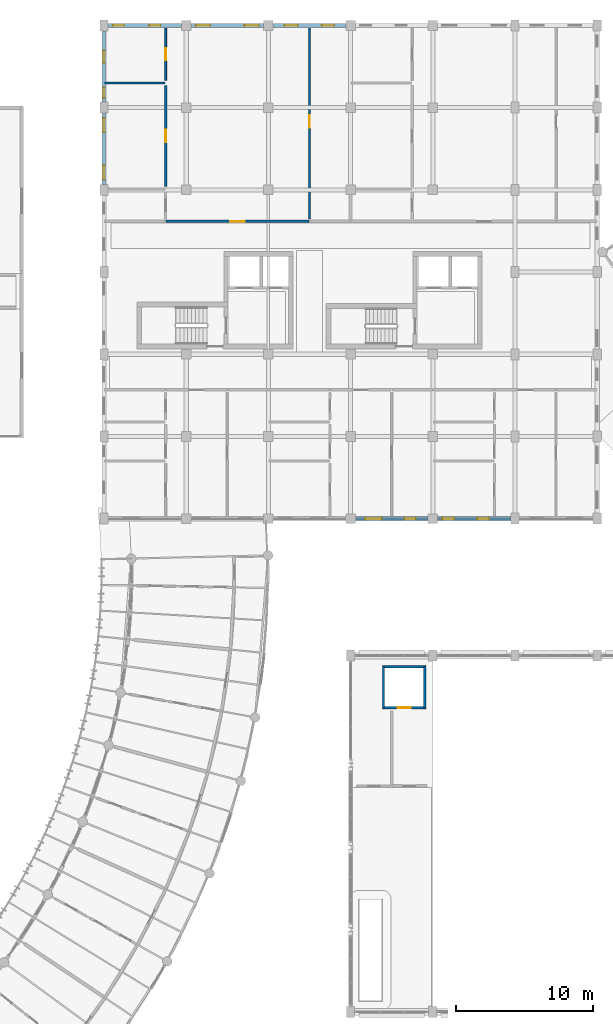
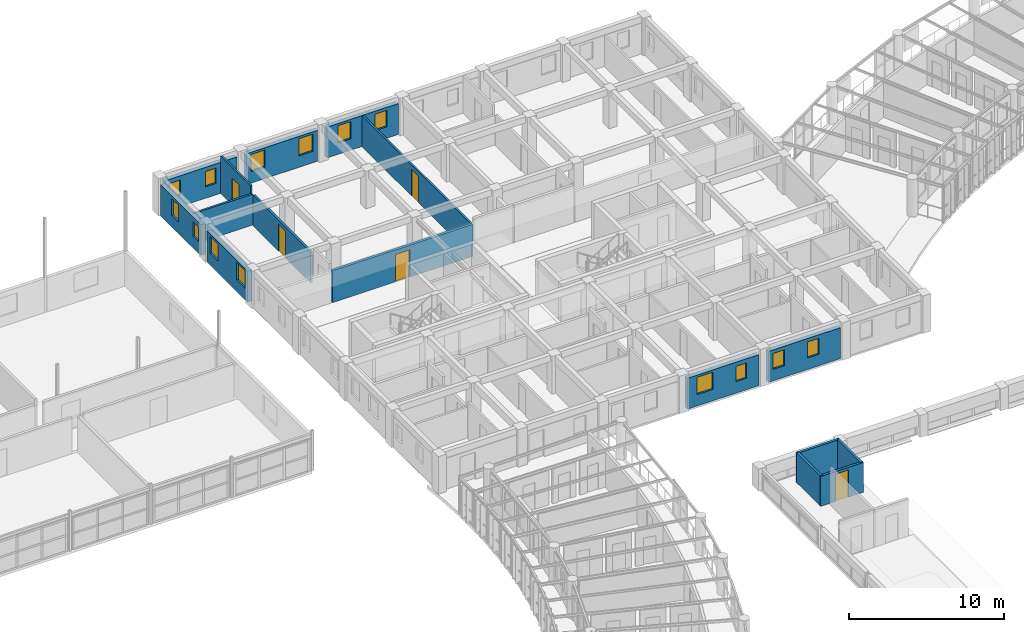
# One storey, part 102 of 137: 16 walls, 14 windows, 5 doors, 19 openings.
"""IFC4 building model written with IfcOpenShell, lengths in metres."""

import ifcopenshell
import ifcopenshell.guid

model = None  # the IFC model being written
_history = None  # IfcOwnerHistory: only IFC2X3 demands one
_inside = {}  # id of a spatial element -> (the spatial element, [elements in it])
_under = {}  # id of a project, library or spatial element -> (it, [spatial elements below it])
_declared = {}  # id of a project -> (the project, [libraries it declares])
_typed = {}  # id of a type object -> (the type object, [elements of that type])
_made_of = {}  # id of a material, layer set ... -> (it, [elements and type objects made of it])


def new_model(schema):
    """Start an empty IFC model of exactly this schema.

    Asked for "IFC4X3", IfcOpenShell would pick the latest addendum, in which some entities
    have other attributes; the version numbers below select the first issue.
    IFC2X3 requires an IfcOwnerHistory on every rooted entity: one is made here for all.
    """
    global model, _history
    if schema == "IFC4X3":
        model = ifcopenshell.file(schema_version=(4, 3, 0, 0))
    else:
        model = ifcopenshell.file(schema=schema)
    _inside.clear()
    _under.clear()
    _declared.clear()
    _typed.clear()
    _made_of.clear()
    _history = None
    if model.schema == "IFC2X3":
        org = make("IfcOrganization", Name="unknown")
        user = make(
            "IfcPersonAndOrganization",
            ThePerson=make("IfcPerson", FamilyName="unknown"),
            TheOrganization=org,
        )
        app = make(
            "IfcApplication",
            ApplicationDeveloper=org,
            Version="unknown",
            ApplicationFullName="unknown",
            ApplicationIdentifier="unknown",
        )
        _history = make(
            "IfcOwnerHistory",
            OwningUser=user,
            OwningApplication=app,
            ChangeAction="ADDED",
            CreationDate=0,
        )
    return model


def make(cls, **values):
    """One entity of the class cls with the attributes given. An attribute that is None is left unset."""
    return model.create_entity(
        cls, **{name: value for name, value in values.items() if value is not None}
    )


def rooted(cls, **values):
    """An entity with a GlobalId (a new one), such as an element, a storey or a relation."""
    return make(cls, GlobalId=ifcopenshell.guid.new(), OwnerHistory=_history, **values)


def si_unit(unit_type, name, prefix=None):
    """IfcSIUnit, for example si_unit("LENGTHUNIT", "METRE", prefix="MILLI")."""
    return make("IfcSIUnit", UnitType=unit_type, Prefix=prefix, Name=name)


def assignment(units):
    """IfcUnitAssignment: the units of a project."""
    return None if units is None else make("IfcUnitAssignment", Units=units)


def point(xyz):
    """IfcCartesianPoint."""
    return None if xyz is None else make("IfcCartesianPoint", Coordinates=xyz)


def direction(xyz):
    """IfcDirection."""
    return None if xyz is None else make("IfcDirection", DirectionRatios=xyz)


def frame(location, z_axis=None, x_axis=None):
    """IfcAxis2Placement3D, a coordinate frame: its origin and axes. An axis left out is left unset."""
    return make(
        "IfcAxis2Placement3D",
        Location=point(location),
        Axis=direction(z_axis),
        RefDirection=direction(x_axis),
    )


def frame_2d(location, x_axis=None):
    """IfcAxis2Placement2D, a coordinate frame in the plane: its origin and x axis."""
    return make(
        "IfcAxis2Placement2D", Location=point(location), RefDirection=direction(x_axis)
    )


def origin():
    """The frame at (0, 0, 0) with its axes left unset."""
    return frame((0.0, 0.0, 0.0))


def place(relative_to, where):
    """IfcLocalPlacement: puts the frame where relative to a parent placement (None: the world)."""
    return make(
        "IfcLocalPlacement", PlacementRelTo=relative_to, RelativePlacement=where
    )


def context(
    kind, dimensions, precision=None, world=None, true_north=None, identifier=None
):
    """IfcGeometricRepresentationContext, for example the 3D "Model" context."""
    return make(
        "IfcGeometricRepresentationContext",
        ContextIdentifier=identifier,
        ContextType=kind,
        CoordinateSpaceDimension=dimensions,
        Precision=precision,
        WorldCoordinateSystem=world,
        TrueNorth=true_north,
    )


def subcontext(parent, identifier, kind, view, scale=None):
    """IfcGeometricRepresentationSubContext, for example "Body" below "Model"."""
    return make(
        "IfcGeometricRepresentationSubContext",
        ContextIdentifier=identifier,
        ContextType=kind,
        ParentContext=parent,
        TargetScale=scale,
        TargetView=view,
    )


def project(units=None, contexts=None):
    """IfcProject with its units and contexts."""
    return rooted(
        "IfcProject",
        Name="project",
        RepresentationContexts=contexts,
        UnitsInContext=assignment(units),
    )


def spatial(cls, under=None, at=None, **own):
    """A site, building, storey or space (cls), placed at a placement, below another one or the project."""
    s = rooted(cls, ObjectPlacement=at, **own)
    if under is not None:
        _under.setdefault(under.id(), (under, []))[1].append(s)
    return s


def profile(cls, at=None, kind="AREA", **sizes):
    """A parametric profile (cls). Its sizes go by their IFC names, for example OverallWidth=200.0."""
    return make(cls, ProfileType=kind, Position=at, **sizes)


def rectangle(**sizes):
    """IfcRectangleProfileDef."""
    return profile("IfcRectangleProfileDef", **sizes)


def extrude(swept, where, along, depth):
    """IfcExtrudedAreaSolid: the profile swept, set in the frame where, extruded along a direction by depth."""
    return make(
        "IfcExtrudedAreaSolid",
        SweptArea=swept,
        Position=where,
        ExtrudedDirection=direction(along),
        Depth=depth,
    )


def shape(context_of_items, identifier, shape_type, items):
    """IfcShapeRepresentation: the items that make up one representation, for example the "Body"."""
    return make(
        "IfcShapeRepresentation",
        ContextOfItems=context_of_items,
        RepresentationIdentifier=identifier,
        RepresentationType=shape_type,
        Items=items,
    )


def material(Name=None, Category=None):
    """IfcMaterial."""
    return make("IfcMaterial", Name=Name, Category=Category)


def layer(
    of_material, thickness, ventilated=None, Name=None, Category=None, Priority=None
):
    """IfcMaterialLayer: one layer of a wall or slab, of a material (None: an air gap)."""
    return make(
        "IfcMaterialLayer",
        Material=of_material,
        LayerThickness=thickness,
        IsVentilated=ventilated,
        Name=Name,
        Category=Category,
        Priority=Priority,
    )


def layer_set(layers, Name=None):
    """IfcMaterialLayerSet."""
    return make("IfcMaterialLayerSet", MaterialLayers=layers, LayerSetName=Name)


def made_of(thing, what):
    """Note that an element or type object is made of a material, layer set ...; save() writes the relation."""
    if what is not None:
        _made_of.setdefault(what.id(), (what, []))[1].append(thing)
    return thing


def type_object(cls, material=None, **own):
    """A type object (cls), such as IfcWallType, which elements share."""
    return made_of(rooted(cls, **own), material)


def element(
    cls,
    number,
    at=None,
    inside=None,
    cuts=None,
    type_object=None,
    material=None,
    context=None,
    identifier="Body",
    shape_type=None,
    held_by="IfcProductDefinitionShape",
    body=None,
    shapes=None,
    **own,
):
    """One element of the class cls, such as IfcWall. Its Tag is "e" and its number.

    at: its placement. inside: the storey or other place that contains it. cuts: it is an
    opening in that element (IfcRelVoidsElement). A single representation is given by context,
    identifier, shape_type and body (its items); several are given by shapes. held_by: the class
    of the entity that holds the representations. save() writes the other relations.
    """
    e = rooted(cls, Tag="e%d" % number, ObjectPlacement=at, **own)
    if body is not None:
        shapes = [shape(context, identifier, shape_type, body)]
    if shapes is not None:
        e.Representation = make(held_by, Representations=shapes)
    if inside is not None:
        _inside.setdefault(inside.id(), (inside, []))[1].append(e)
    if cuts is not None:
        rooted(
            "IfcRelVoidsElement", RelatingBuildingElement=cuts, RelatedOpeningElement=e
        )
    if type_object is not None:
        _typed.setdefault(type_object.id(), (type_object, []))[1].append(e)
    return made_of(e, material)


def fill(opening, filler):
    """IfcRelFillsElement: the door or window that sits in an opening."""
    return rooted(
        "IfcRelFillsElement",
        RelatingOpeningElement=opening,
        RelatedBuildingElement=filler,
    )


def aggregate(whole, parts):
    """IfcRelAggregates: a whole, such as a stair, and the parts it consists of."""
    return rooted("IfcRelAggregates", RelatingObject=whole, RelatedObjects=parts)


def save(model, path):
    """Write the relations noted so far, then the file.

    IfcRelAggregates (storeys below a building ...), IfcRelContainedInSpatialStructure (elements
    in a storey), IfcRelDefinesByType, IfcRelAssociatesMaterial and IfcRelDeclares: one each for
    every whole, place, type object, material and project.
    """
    for whole, parts in _under.values():
        aggregate(whole, parts)
    for where, things in _inside.values():
        rooted(
            "IfcRelContainedInSpatialStructure",
            RelatedElements=things,
            RelatingStructure=where,
        )
    for kind, things in _typed.values():
        rooted("IfcRelDefinesByType", RelatedObjects=things, RelatingType=kind)
    for what, things in _made_of.values():
        rooted("IfcRelAssociatesMaterial", RelatedObjects=things, RelatingMaterial=what)
    for by, libraries in _declared.values():
        rooted("IfcRelDeclares", RelatingContext=by, RelatedDefinitions=libraries)
    model.write(path)


model = new_model("IFC4")

# Units and contexts
model_context = context("Model", 3, precision=1e-05, world=origin(), true_north=direction((0.0, 1.0)))
body_context = subcontext(model_context, "Body", "Model", "MODEL_VIEW")
ifc_project = project(units=[si_unit("LENGTHUNIT", "METRE"), si_unit("AREAUNIT", "SQUARE_METRE"), si_unit("VOLUMEUNIT", "CUBIC_METRE"), si_unit("PLANEANGLEUNIT", "RADIAN"), si_unit("MASSUNIT", "GRAM", prefix="KILO"), si_unit("POWERUNIT", "WATT"), si_unit("THERMODYNAMICTEMPERATUREUNIT", "KELVIN")], contexts=[model_context])

# Site, building, storey
site_placement = place(None, origin())
site = spatial("IfcSite", under=ifc_project, at=site_placement, CompositionType="ELEMENT")
building_placement = place(site_placement, origin())
building = spatial("IfcBuilding", under=site, at=building_placement, Name="Ruvembo Vaulted Housing Court", CompositionType="ELEMENT")
storey_placement = place(building_placement, frame((0.0, 0.0, 4.5)))
storey = spatial("IfcBuildingStorey", under=building, at=storey_placement, Name="L01", CompositionType="ELEMENT", Elevation=4.5)

# Wall, opening, door
ifc_material_1 = material(Name="Concrete Blockwork 190", Category="masonry")
ifc_layer_1 = layer(ifc_material_1, 0.18994140625, Name="Concrete Blockwork 190")
ifc_layer_set_1 = layer_set([ifc_layer_1], Name="Concrete Blockwork 190")
wall_type_1 = type_object("IfcWallType", Name="WL-CORR-190", PredefinedType="SOLIDWALL", material=ifc_layer_set_1)
wall_1_placement = place(storey_placement, frame((52.5400390625, 99.699951171875, 0.0), z_axis=(0.0, 0.0, 1.0), x_axis=(1.0, 0.0, 0.0)))
wall_1 = element("IfcWall", 1, at=wall_1_placement, inside=storey, type_object=wall_type_1, Name="L01 Flat B-L01-N1 Entrance WL-INT-L01-00257", PredefinedType="SOLIDWALL", context=body_context, shape_type="SweptSolid", body=[
    extrude(rectangle(XDim=10.419921875, YDim=0.18994140625, at=frame_2d((5.2099609375, 0.0))), origin(), (0.0, 0.0, 1.0), 2.508056640625),
])
opening_1_placement = place(wall_1_placement, frame((4.68505859375, 0.0, 0.0)))
opening_1 = element("IfcOpeningElement", 2, at=opening_1_placement, cuts=wall_1, Name="Opening FD3", PredefinedType="OPENING", context=body_context, shape_type="SweptSolid", body=[
    extrude(rectangle(XDim=1.050048828125, YDim=2.14990234375, at=frame_2d((0.52490234375, 1.074951171875))), frame((0.0, 0.10498046875, 0.0), z_axis=(0.0, -1.0, 0.0), x_axis=(1.0, 0.0, 0.0)), (0.0, 0.0, 1.0), 0.2099609375),
])
ifc_material_2 = material(Name="FSC Hardwood and Engineered Timber", Category="wood")
door_type_1 = type_object("IfcDoorType", Name="DR-FLAT-1050x2150", OperationType="NOTDEFINED", PredefinedType="DOOR", material=ifc_material_2)
door_1_placement = place(opening_1_placement, origin())
door_1 = element("IfcDoor", 3, at=door_1_placement, inside=storey, type_object=door_type_1, Name="L01 Flat B-L01-N1 Entrance Door DR-INT-L01-00128", OperationType="SINGLE_SWING_RIGHT", OverallHeight=2.14990234375, OverallWidth=1.050048828125, PredefinedType="DOOR", context=body_context, shape_type="SweptSolid", body=[
    extrude(rectangle(XDim=1.050048828125, YDim=2.14990234375, at=frame_2d((0.52490234375, 1.074951171875))), frame((0.0, 0.02490234375, 0.0), z_axis=(0.0, -1.0, 0.0), x_axis=(1.0, 0.0, 0.0)), (0.0, 0.0, 1.0), 0.050048828125),
])
fill(opening_1, door_1)

# Wall, openings, windows
ifc_material_3 = material(Name="Rendered Masonry 320", Category="masonry")
ifc_layer_2 = layer(ifc_material_3, 0.320068359375, Name="Rendered Masonry 320")
ifc_layer_set_2 = layer_set([ifc_layer_2], Name="Rendered Masonry 320")
wall_type_2 = type_object("IfcWallType", Name="WL-EXT-320", PredefinedType="STANDARD", material=ifc_layer_set_2)
wall_2_placement = place(storey_placement, frame((66.35009765625, 78.0, 0.0), z_axis=(0.0, 0.0, 1.0), x_axis=(1.0, 0.0, 0.0)))
wall_2 = element("IfcWall", 4, at=wall_2_placement, inside=storey, type_object=wall_type_2, Name="Block B L01 Exterior Wall COURTYARD #4", PredefinedType="STANDARD", context=body_context, shape_type="SweptSolid", body=[
    extrude(rectangle(XDim=5.2998046875, YDim=0.320068359375, at=frame_2d((2.64990234375, 0.0))), origin(), (0.0, 0.0, 1.0), 2.427001953125),
])
opening_2_placement = place(wall_2_placement, frame((0.705078125, 0.0, 0.89990234375)))
opening_2 = element("IfcOpeningElement", 5, at=opening_2_placement, cuts=wall_2, Name="Opening W12", PredefinedType="OPENING", context=body_context, shape_type="SweptSolid", body=[
    extrude(rectangle(XDim=1.199951171875, YDim=1.35009765625, at=frame_2d((0.60009765625, 0.675048828125))), frame((0.0, 0.169921875, 0.0), z_axis=(0.0, -1.0, 0.0), x_axis=(1.0, 0.0, 0.0)), (0.0, 0.0, 1.0), 0.340087890625),
])
opening_3_placement = place(wall_2_placement, frame((3.594970703125, 0.0, 0.89990234375)))
opening_3 = element("IfcOpeningElement", 6, at=opening_3_placement, cuts=wall_2, Name="Opening W02", PredefinedType="OPENING", context=body_context, shape_type="SweptSolid", body=[
    extrude(rectangle(XDim=0.800048828125, YDim=1.199951171875, at=frame_2d((0.39990234375, 0.60009765625))), frame((0.0, 0.169921875, 0.0), z_axis=(0.0, -1.0, 0.0), x_axis=(1.0, 0.0, 0.0)), (0.0, 0.0, 1.0), 0.340087890625),
])
ifc_material_4 = material(Name="Double Solar-Control Glazing in Aluminium Frame", Category="aluminium")
window_type_1 = type_object("IfcWindowType", Name="WIN-0800x1200", PartitioningType="SINGLE_PANEL", PredefinedType="WINDOW", material=ifc_material_4)
window_1_placement = place(opening_3_placement, origin())
window_1 = element("IfcWindow", 7, at=window_1_placement, inside=storey, type_object=window_type_1, Name="Block B L01 Window #648", OverallHeight=1.199951171875, OverallWidth=0.800048828125, PartitioningType="SINGLE_PANEL", PredefinedType="WINDOW", context=body_context, shape_type="SweptSolid", body=[
    extrude(rectangle(XDim=0.800048828125, YDim=1.199951171875, at=frame_2d((0.39990234375, 0.60009765625))), frame((0.0, 0.030029296875, 0.0), z_axis=(0.0, -1.0, 0.0), x_axis=(1.0, 0.0, 0.0)), (0.0, 0.0, 1.0), 0.06005859375),
])
fill(opening_3, window_1)
window_type_2 = type_object("IfcWindowType", Name="WIN-1200x1350", PartitioningType="SINGLE_PANEL", PredefinedType="WINDOW", material=ifc_material_4)
window_2_placement = place(opening_2_placement, origin())
window_2 = element("IfcWindow", 8, at=window_2_placement, inside=storey, type_object=window_type_2, Name="Block B L01 Window #647", OverallHeight=1.35009765625, OverallWidth=1.199951171875, PartitioningType="SINGLE_PANEL", PredefinedType="WINDOW", context=body_context, shape_type="SweptSolid", body=[
    extrude(rectangle(XDim=1.199951171875, YDim=1.35009765625, at=frame_2d((0.60009765625, 0.675048828125))), frame((0.0, 0.030029296875, 0.0), z_axis=(0.0, -1.0, 0.0), x_axis=(1.0, 0.0, 0.0)), (0.0, 0.0, 1.0), 0.06005859375),
])
fill(opening_2, window_2)

wall_3_placement = place(storey_placement, frame((72.35009765625, 78.0, 0.0), z_axis=(0.0, 0.0, 1.0), x_axis=(1.0, 0.0, 0.0)))
wall_3 = element("IfcWall", 9, at=wall_3_placement, inside=storey, type_object=wall_type_2, Name="Block B L01 Exterior Wall COURTYARD #5", PredefinedType="STANDARD", context=body_context, shape_type="SweptSolid", body=[
    extrude(rectangle(XDim=5.349853515625, YDim=0.320068359375, at=frame_2d((2.6748046875, 0.0))), origin(), (0.0, 0.0, 1.0), 2.427001953125),
])
opening_4_placement = place(wall_3_placement, frame((0.35009765625, 0.0, 0.89990234375)))
opening_4 = element("IfcOpeningElement", 10, at=opening_4_placement, cuts=wall_3, Name="Opening W03", PredefinedType="OPENING", context=body_context, shape_type="SweptSolid", body=[
    extrude(rectangle(XDim=0.85009765625, YDim=1.25, at=frame_2d((0.425048828125, 0.625))), frame((0.0, 0.169921875, 0.0), z_axis=(0.0, -1.0, 0.0), x_axis=(1.0, 0.0, 0.0)), (0.0, 0.0, 1.0), 0.340087890625),
])
opening_5_placement = place(wall_3_placement, frame((2.909912109375, 0.0, 0.89990234375)))
opening_5 = element("IfcOpeningElement", 11, at=opening_5_placement, cuts=wall_3, Name="Opening W03", PredefinedType="OPENING", context=body_context, shape_type="SweptSolid", body=[
    extrude(rectangle(XDim=0.85009765625, YDim=1.25, at=frame_2d((0.425048828125, 0.625))), frame((0.0, 0.169921875, 0.0), z_axis=(0.0, -1.0, 0.0), x_axis=(1.0, 0.0, 0.0)), (0.0, 0.0, 1.0), 0.340087890625),
])
window_type_3 = type_object("IfcWindowType", Name="WIN-0850x1250", PartitioningType="SINGLE_PANEL", PredefinedType="WINDOW", material=ifc_material_4)
window_3_placement = place(opening_4_placement, origin())
window_3 = element("IfcWindow", 12, at=window_3_placement, inside=storey, type_object=window_type_3, Name="Block B L01 Window #649", OverallHeight=1.25, OverallWidth=0.85009765625, PartitioningType="SINGLE_PANEL", PredefinedType="WINDOW", context=body_context, shape_type="SweptSolid", body=[
    extrude(rectangle(XDim=0.85009765625, YDim=1.25, at=frame_2d((0.425048828125, 0.625))), frame((0.0, 0.030029296875, 0.0), z_axis=(0.0, -1.0, 0.0), x_axis=(1.0, 0.0, 0.0)), (0.0, 0.0, 1.0), 0.06005859375),
])
fill(opening_4, window_3)
window_4_placement = place(opening_5_placement, origin())
window_4 = element("IfcWindow", 13, at=window_4_placement, inside=storey, type_object=window_type_3, Name="Block B L01 Window #650", OverallHeight=1.25, OverallWidth=0.85009765625, PartitioningType="SINGLE_PANEL", PredefinedType="WINDOW", context=body_context, shape_type="SweptSolid", body=[
    extrude(rectangle(XDim=0.85009765625, YDim=1.25, at=frame_2d((0.425048828125, 0.625))), frame((0.0, 0.030029296875, 0.0), z_axis=(0.0, -1.0, 0.0), x_axis=(1.0, 0.0, 0.0)), (0.0, 0.0, 1.0), 0.06005859375),
])
fill(opening_5, window_4)

wall_4_placement = place(storey_placement, frame((65.64990234375, 114.0, 0.0), z_axis=(0.0, 0.0, 1.0), x_axis=(-1.0, 0.0, 0.0)))
wall_4 = element("IfcWall", 14, at=wall_4_placement, inside=storey, type_object=wall_type_2, Name="Block B L01 Exterior Wall STREET #4", PredefinedType="STANDARD", context=body_context, shape_type="SweptSolid", body=[
    extrude(rectangle(XDim=5.2998046875, YDim=0.320068359375, at=frame_2d((2.64990234375, 0.0))), origin(), (0.0, 0.0, 1.0), 2.427001953125),
])
opening_6_placement = place(wall_4_placement, frame((0.85498046875, 0.0, 0.89990234375)))
opening_6 = element("IfcOpeningElement", 15, at=opening_6_placement, cuts=wall_4, Name="Opening W04", PredefinedType="OPENING", context=body_context, shape_type="SweptSolid", body=[
    extrude(rectangle(XDim=0.89990234375, YDim=1.300048828125, at=frame_2d((0.449951171875, 0.64990234375))), frame((0.0, 0.169921875, 0.0), z_axis=(0.0, -1.0, 0.0), x_axis=(1.0, 0.0, 0.0)), (0.0, 0.0, 1.0), 0.340087890625),
])
opening_7_placement = place(wall_4_placement, frame((3.52001953125, 0.0, 0.89990234375)))
opening_7 = element("IfcOpeningElement", 16, at=opening_7_placement, cuts=wall_4, Name="Opening W07", PredefinedType="OPENING", context=body_context, shape_type="SweptSolid", body=[
    extrude(rectangle(XDim=0.949951171875, YDim=1.35009765625, at=frame_2d((0.47509765625, 0.675048828125))), frame((0.0, 0.169921875, 0.0), z_axis=(0.0, -1.0, 0.0), x_axis=(1.0, 0.0, 0.0)), (0.0, 0.0, 1.0), 0.340087890625),
])
window_type_4 = type_object("IfcWindowType", Name="WIN-0900x1300", PartitioningType="SINGLE_PANEL", PredefinedType="WINDOW", material=ifc_material_4)
window_5_placement = place(opening_6_placement, origin())
window_5 = element("IfcWindow", 17, at=window_5_placement, inside=storey, type_object=window_type_4, Name="Block B L01 Window #668", OverallHeight=1.300048828125, OverallWidth=0.89990234375, PartitioningType="SINGLE_PANEL", PredefinedType="WINDOW", context=body_context, shape_type="SweptSolid", body=[
    extrude(rectangle(XDim=0.89990234375, YDim=1.300048828125, at=frame_2d((0.449951171875, 0.64990234375))), frame((0.0, 0.030029296875, 0.0), z_axis=(0.0, -1.0, 0.0), x_axis=(1.0, 0.0, 0.0)), (0.0, 0.0, 1.0), 0.06005859375),
])
fill(opening_6, window_5)
window_type_5 = type_object("IfcWindowType", Name="WIN-0950x1350", PartitioningType="SINGLE_PANEL", PredefinedType="WINDOW", material=ifc_material_4)
window_6_placement = place(opening_7_placement, origin())
window_6 = element("IfcWindow", 18, at=window_6_placement, inside=storey, type_object=window_type_5, Name="Block B L01 Window #669", OverallHeight=1.35009765625, OverallWidth=0.949951171875, PartitioningType="SINGLE_PANEL", PredefinedType="WINDOW", context=body_context, shape_type="SweptSolid", body=[
    extrude(rectangle(XDim=0.949951171875, YDim=1.35009765625, at=frame_2d((0.47509765625, 0.675048828125))), frame((0.0, 0.030029296875, 0.0), z_axis=(0.0, -1.0, 0.0), x_axis=(1.0, 0.0, 0.0)), (0.0, 0.0, 1.0), 0.06005859375),
])
fill(opening_7, window_6)

wall_5_placement = place(storey_placement, frame((59.64990234375, 114.0, 0.0), z_axis=(0.0, 0.0, 1.0), x_axis=(-1.0, 0.0, 0.0)))
wall_5 = element("IfcWall", 19, at=wall_5_placement, inside=storey, type_object=wall_type_2, Name="Block B L01 Exterior Wall STREET #5", PredefinedType="STANDARD", context=body_context, shape_type="SweptSolid", body=[
    extrude(rectangle(XDim=5.2998046875, YDim=0.320068359375, at=frame_2d((2.64990234375, 0.0))), origin(), (0.0, 0.0, 1.0), 2.427001953125),
])
opening_8_placement = place(wall_5_placement, frame((0.35009765625, 0.0, 0.89990234375)))
opening_8 = element("IfcOpeningElement", 20, at=opening_8_placement, cuts=wall_5, Name="Opening W09", PredefinedType="OPENING", context=body_context, shape_type="SweptSolid", body=[
    extrude(rectangle(XDim=1.050048828125, YDim=1.35009765625, at=frame_2d((0.52490234375, 0.675048828125))), frame((0.0, 0.169921875, 0.0), z_axis=(0.0, -1.0, 0.0), x_axis=(1.0, 0.0, 0.0)), (0.0, 0.0, 1.0), 0.340087890625),
])
opening_9_placement = place(wall_5_placement, frame((3.89990234375, 0.0, 0.89990234375)))
opening_9 = element("IfcOpeningElement", 21, at=opening_9_placement, cuts=wall_5, Name="Opening W09", PredefinedType="OPENING", context=body_context, shape_type="SweptSolid", body=[
    extrude(rectangle(XDim=1.050048828125, YDim=1.35009765625, at=frame_2d((0.52490234375, 0.675048828125))), frame((0.0, 0.169921875, 0.0), z_axis=(0.0, -1.0, 0.0), x_axis=(1.0, 0.0, 0.0)), (0.0, 0.0, 1.0), 0.340087890625),
])
window_type_6 = type_object("IfcWindowType", Name="WIN-1050x1350", PartitioningType="SINGLE_PANEL", PredefinedType="WINDOW", material=ifc_material_4)
window_7_placement = place(opening_8_placement, origin())
window_7 = element("IfcWindow", 22, at=window_7_placement, inside=storey, type_object=window_type_6, Name="Block B L01 Window #670", OverallHeight=1.35009765625, OverallWidth=1.050048828125, PartitioningType="SINGLE_PANEL", PredefinedType="WINDOW", context=body_context, shape_type="SweptSolid", body=[
    extrude(rectangle(XDim=1.050048828125, YDim=1.35009765625, at=frame_2d((0.52490234375, 0.675048828125))), frame((0.0, 0.030029296875, 0.0), z_axis=(0.0, -1.0, 0.0), x_axis=(1.0, 0.0, 0.0)), (0.0, 0.0, 1.0), 0.06005859375),
])
fill(opening_8, window_7)
window_8_placement = place(opening_9_placement, origin())
window_8 = element("IfcWindow", 23, at=window_8_placement, inside=storey, type_object=window_type_6, Name="Block B L01 Window #671", OverallHeight=1.35009765625, OverallWidth=1.050048828125, PartitioningType="SINGLE_PANEL", PredefinedType="WINDOW", context=body_context, shape_type="SweptSolid", body=[
    extrude(rectangle(XDim=1.050048828125, YDim=1.35009765625, at=frame_2d((0.52490234375, 0.675048828125))), frame((0.0, 0.030029296875, 0.0), z_axis=(0.0, -1.0, 0.0), x_axis=(1.0, 0.0, 0.0)), (0.0, 0.0, 1.0), 0.06005859375),
])
fill(opening_9, window_8)

wall_6_placement = place(storey_placement, frame((53.64990234375, 114.0, 0.0), z_axis=(0.0, 0.0, 1.0), x_axis=(-1.0, 0.0, 0.0)))
wall_6 = element("IfcWall", 24, at=wall_6_placement, inside=storey, type_object=wall_type_2, Name="Block B L01 Exterior Wall STREET #6", PredefinedType="STANDARD", context=body_context, shape_type="SweptSolid", body=[
    extrude(rectangle(XDim=5.349853515625, YDim=0.320068359375, at=frame_2d((2.6748046875, 0.0))), origin(), (0.0, 0.0, 1.0), 2.427001953125),
])
opening_10_placement = place(wall_6_placement, frame((1.5400390625, 0.0, 0.89990234375)))
opening_10 = element("IfcOpeningElement", 25, at=opening_10_placement, cuts=wall_6, Name="Opening W02", PredefinedType="OPENING", context=body_context, shape_type="SweptSolid", body=[
    extrude(rectangle(XDim=0.800048828125, YDim=1.199951171875, at=frame_2d((0.39990234375, 0.60009765625))), frame((0.0, 0.169921875, 0.0), z_axis=(0.0, -1.0, 0.0), x_axis=(1.0, 0.0, 0.0)), (0.0, 0.0, 1.0), 0.340087890625),
])
opening_11_placement = place(wall_6_placement, frame((4.199951171875, 0.0, 0.89990234375)))
opening_11 = element("IfcOpeningElement", 26, at=opening_11_placement, cuts=wall_6, Name="Opening W02", PredefinedType="OPENING", context=body_context, shape_type="SweptSolid", body=[
    extrude(rectangle(XDim=0.800048828125, YDim=1.199951171875, at=frame_2d((0.39990234375, 0.60009765625))), frame((0.0, 0.169921875, 0.0), z_axis=(0.0, -1.0, 0.0), x_axis=(1.0, 0.0, 0.0)), (0.0, 0.0, 1.0), 0.340087890625),
])
window_9_placement = place(opening_10_placement, origin())
window_9 = element("IfcWindow", 27, at=window_9_placement, inside=storey, type_object=window_type_1, Name="Block B L01 Window #672", OverallHeight=1.199951171875, OverallWidth=0.800048828125, PartitioningType="SINGLE_PANEL", PredefinedType="WINDOW", context=body_context, shape_type="SweptSolid", body=[
    extrude(rectangle(XDim=0.800048828125, YDim=1.199951171875, at=frame_2d((0.39990234375, 0.60009765625))), frame((0.0, 0.030029296875, 0.0), z_axis=(0.0, -1.0, 0.0), x_axis=(1.0, 0.0, 0.0)), (0.0, 0.0, 1.0), 0.06005859375),
])
fill(opening_10, window_9)
window_10_placement = place(opening_11_placement, origin())
window_10 = element("IfcWindow", 28, at=window_10_placement, inside=storey, type_object=window_type_1, Name="Block B L01 Window #673", OverallHeight=1.199951171875, OverallWidth=0.800048828125, PartitioningType="SINGLE_PANEL", PredefinedType="WINDOW", context=body_context, shape_type="SweptSolid", body=[
    extrude(rectangle(XDim=0.800048828125, YDim=1.199951171875, at=frame_2d((0.39990234375, 0.60009765625))), frame((0.0, 0.030029296875, 0.0), z_axis=(0.0, -1.0, 0.0), x_axis=(1.0, 0.0, 0.0)), (0.0, 0.0, 1.0), 0.06005859375),
])
fill(opening_11, window_10)

wall_7_placement = place(storey_placement, frame((48.0, 113.60009765625, 0.0), z_axis=(0.0, 0.0, 1.0), x_axis=(0.0, -1.0, 0.0)))
wall_7 = element("IfcWall", 29, at=wall_7_placement, inside=storey, type_object=wall_type_2, Name="Block B L01 Exterior Wall WEST #1", PredefinedType="STANDARD", context=body_context, shape_type="SweptSolid", body=[
    extrude(rectangle(XDim=5.2001953125, YDim=0.320068359375, at=frame_2d((2.60009765625, 0.0))), origin(), (0.0, 0.0, 1.0), 2.427001953125),
])
opening_12_placement = place(wall_7_placement, frame((1.429931640625, 0.0, 0.89990234375)))
opening_12 = element("IfcOpeningElement", 30, at=opening_12_placement, cuts=wall_7, Name="Opening W04", PredefinedType="OPENING", context=body_context, shape_type="SweptSolid", body=[
    extrude(rectangle(XDim=0.89990234375, YDim=1.300048828125, at=frame_2d((0.449951171875, 0.64990234375))), frame((0.0, 0.169921875, 0.0), z_axis=(0.0, -1.0, 0.0), x_axis=(1.0, 0.0, 0.0)), (0.0, 0.0, 1.0), 0.340087890625),
])
opening_13_placement = place(wall_7_placement, frame((4.14501953125, 0.0, 0.89990234375)))
opening_13 = element("IfcOpeningElement", 31, at=opening_13_placement, cuts=wall_7, Name="Opening W01", PredefinedType="OPENING", context=body_context, shape_type="SweptSolid", body=[
    extrude(rectangle(XDim=0.75, YDim=1.14990234375, at=frame_2d((0.375, 0.574951171875))), frame((0.0, 0.169921875, 0.0), z_axis=(0.0, -1.0, 0.0), x_axis=(1.0, 0.0, 0.0)), (0.0, 0.0, 1.0), 0.340087890625),
])
window_type_7 = type_object("IfcWindowType", Name="WIN-0750x1150", PartitioningType="SINGLE_PANEL", PredefinedType="WINDOW", material=ifc_material_4)
window_11_placement = place(opening_13_placement, origin())
window_11 = element("IfcWindow", 32, at=window_11_placement, inside=storey, type_object=window_type_7, Name="Block B L01 Window #675", OverallHeight=1.14990234375, OverallWidth=0.75, PartitioningType="SINGLE_PANEL", PredefinedType="WINDOW", context=body_context, shape_type="SweptSolid", body=[
    extrude(rectangle(XDim=0.75, YDim=1.14990234375, at=frame_2d((0.375, 0.574951171875))), frame((0.0, 0.030029296875, 0.0), z_axis=(0.0, -1.0, 0.0), x_axis=(1.0, 0.0, 0.0)), (0.0, 0.0, 1.0), 0.06005859375),
])
fill(opening_13, window_11)
window_12_placement = place(opening_12_placement, origin())
window_12 = element("IfcWindow", 33, at=window_12_placement, inside=storey, type_object=window_type_4, Name="Block B L01 Window #674", OverallHeight=1.300048828125, OverallWidth=0.89990234375, PartitioningType="SINGLE_PANEL", PredefinedType="WINDOW", context=body_context, shape_type="SweptSolid", body=[
    extrude(rectangle(XDim=0.89990234375, YDim=1.300048828125, at=frame_2d((0.449951171875, 0.64990234375))), frame((0.0, 0.030029296875, 0.0), z_axis=(0.0, -1.0, 0.0), x_axis=(1.0, 0.0, 0.0)), (0.0, 0.0, 1.0), 0.06005859375),
])
fill(opening_12, window_12)

wall_8_placement = place(storey_placement, frame((48.0, 107.60009765625, 0.0), z_axis=(0.0, 0.0, 1.0), x_axis=(0.0, -1.0, 0.0)))
wall_8 = element("IfcWall", 34, at=wall_8_placement, inside=storey, type_object=wall_type_2, Name="Block B L01 Exterior Wall WEST #2", PredefinedType="STANDARD", context=body_context, shape_type="SweptSolid", body=[
    extrude(rectangle(XDim=5.2001953125, YDim=0.320068359375, at=frame_2d((2.60009765625, 0.0))), origin(), (0.0, 0.0, 1.0), 2.427001953125),
])
opening_14_placement = place(wall_8_placement, frame((0.35009765625, 0.0, 0.89990234375)))
opening_14 = element("IfcOpeningElement", 35, at=opening_14_placement, cuts=wall_8, Name="Opening W09", PredefinedType="OPENING", context=body_context, shape_type="SweptSolid", body=[
    extrude(rectangle(XDim=1.050048828125, YDim=1.35009765625, at=frame_2d((0.52490234375, 0.675048828125))), frame((0.0, 0.169921875, 0.0), z_axis=(0.0, -1.0, 0.0), x_axis=(1.0, 0.0, 0.0)), (0.0, 0.0, 1.0), 0.340087890625),
])
opening_15_placement = place(wall_8_placement, frame((3.800048828125, 0.0, 0.89990234375)))
opening_15 = element("IfcOpeningElement", 36, at=opening_15_placement, cuts=wall_8, Name="Opening W09", PredefinedType="OPENING", context=body_context, shape_type="SweptSolid", body=[
    extrude(rectangle(XDim=1.050048828125, YDim=1.35009765625, at=frame_2d((0.52490234375, 0.675048828125))), frame((0.0, 0.169921875, 0.0), z_axis=(0.0, -1.0, 0.0), x_axis=(1.0, 0.0, 0.0)), (0.0, 0.0, 1.0), 0.340087890625),
])
window_13_placement = place(opening_14_placement, origin())
window_13 = element("IfcWindow", 37, at=window_13_placement, inside=storey, type_object=window_type_6, Name="Block B L01 Window #676", OverallHeight=1.35009765625, OverallWidth=1.050048828125, PartitioningType="SINGLE_PANEL", PredefinedType="WINDOW", context=body_context, shape_type="SweptSolid", body=[
    extrude(rectangle(XDim=1.050048828125, YDim=1.35009765625, at=frame_2d((0.52490234375, 0.675048828125))), frame((0.0, 0.030029296875, 0.0), z_axis=(0.0, -1.0, 0.0), x_axis=(1.0, 0.0, 0.0)), (0.0, 0.0, 1.0), 0.06005859375),
])
fill(opening_14, window_13)
window_14_placement = place(opening_15_placement, origin())
window_14 = element("IfcWindow", 38, at=window_14_placement, inside=storey, type_object=window_type_6, Name="Block B L01 Window #677", OverallHeight=1.35009765625, OverallWidth=1.050048828125, PartitioningType="SINGLE_PANEL", PredefinedType="WINDOW", context=body_context, shape_type="SweptSolid", body=[
    extrude(rectangle(XDim=1.050048828125, YDim=1.35009765625, at=frame_2d((0.52490234375, 0.675048828125))), frame((0.0, 0.030029296875, 0.0), z_axis=(0.0, -1.0, 0.0), x_axis=(1.0, 0.0, 0.0)), (0.0, 0.0, 1.0), 0.06005859375),
])
fill(opening_15, window_14)

# Wall, opening, door
ifc_material_5 = material(Name="Acoustic Stud Partition 135", Category="gypsum")
ifc_layer_3 = layer(ifc_material_5, 0.135009765625, Name="Acoustic Stud Partition 135")
ifc_layer_set_3 = layer_set([ifc_layer_3], Name="Acoustic Stud Partition 135")
wall_type_3 = type_object("IfcWallType", Name="WL-PART-135", PredefinedType="PARTITIONING", material=ifc_layer_set_3)
wall_9_placement = place(storey_placement, frame((52.5, 109.989990234375, 0.0), z_axis=(0.0, 0.0, 1.0), x_axis=(0.0, 1.0, 0.0)))
wall_9 = element("IfcWall", 39, at=wall_9_placement, inside=storey, type_object=wall_type_3, Name="L01 Flat B-L01-N1 Bedroom 1 WL-INT-L01-00258", PredefinedType="PARTITIONING", context=body_context, shape_type="SweptSolid", body=[
    extrude(rectangle(XDim=3.820068359375, YDim=0.135009765625, at=frame_2d((1.91015625, 0.0))), origin(), (0.0, 0.0, 1.0), 2.945068359375),
])
opening_16_placement = place(wall_9_placement, frame((1.469970703125, 0.0, 0.0)))
opening_16 = element("IfcOpeningElement", 40, at=opening_16_placement, cuts=wall_9, Name="Opening ID3", PredefinedType="OPENING", context=body_context, shape_type="SweptSolid", body=[
    extrude(rectangle(XDim=0.8798828125, YDim=2.10009765625, at=frame_2d((0.43994140625, 1.050048828125))), frame((0.0, 0.077392578125, 0.0), z_axis=(0.0, -1.0, 0.0), x_axis=(1.0, 0.0, 0.0)), (0.0, 0.0, 1.0), 0.155029296875),
])
door_type_2 = type_object("IfcDoorType", Name="DR-ROOM-0880x2100", OperationType="NOTDEFINED", PredefinedType="DOOR", material=ifc_material_2)
door_2_placement = place(opening_16_placement, origin())
door_2 = element("IfcDoor", 41, at=door_2_placement, inside=storey, type_object=door_type_2, Name="L01 Flat B-L01-N1 Bedroom 1 Door DR-INT-L01-00129", OperationType="SINGLE_SWING_LEFT", OverallHeight=2.10009765625, OverallWidth=0.8798828125, PredefinedType="DOOR", context=body_context, shape_type="SweptSolid", body=[
    extrude(rectangle(XDim=0.8798828125, YDim=2.10009765625, at=frame_2d((0.43994140625, 1.050048828125))), frame((0.0, 0.02490234375, 0.0), z_axis=(0.0, -1.0, 0.0), x_axis=(1.0, 0.0, 0.0)), (0.0, 0.0, 1.0), 0.050048828125),
])
fill(opening_16, door_2)

wall_10_placement = place(storey_placement, frame((63.0, 99.889892578125, 0.0), z_axis=(0.0, 0.0, 1.0), x_axis=(0.0, 1.0, 0.0)))
wall_10 = element("IfcWall", 42, at=wall_10_placement, inside=storey, type_object=wall_type_3, Name="L01 Flat B-L01-N1 Bedroom 2 WL-INT-L01-00264", PredefinedType="PARTITIONING", context=body_context, shape_type="SweptSolid", body=[
    extrude(rectangle(XDim=13.920166015625, YDim=0.135009765625, at=frame_2d((6.9599609375, 0.0))), origin(), (0.0, 0.0, 1.0), 2.427001953125),
])
opening_17_placement = place(wall_10_placement, frame((6.64990234375, 0.0, 0.0)))
opening_17 = element("IfcOpeningElement", 43, at=opening_17_placement, cuts=wall_10, Name="Opening ID1", PredefinedType="OPENING", context=body_context, shape_type="SweptSolid", body=[
    extrude(rectangle(XDim=0.89990234375, YDim=2.10009765625, at=frame_2d((0.449951171875, 1.050048828125))), frame((0.0, 0.077392578125, 0.0), z_axis=(0.0, -1.0, 0.0), x_axis=(1.0, 0.0, 0.0)), (0.0, 0.0, 1.0), 0.155029296875),
])
door_type_3 = type_object("IfcDoorType", Name="DR-ROOM-0900x2100", OperationType="NOTDEFINED", PredefinedType="DOOR", material=ifc_material_2)
door_3_placement = place(opening_17_placement, origin())
door_3 = element("IfcDoor", 44, at=door_3_placement, inside=storey, type_object=door_type_3, Name="L01 Flat B-L01-N1 Bedroom 2 Door DR-INT-L01-00132", OperationType="SINGLE_SWING_RIGHT", OverallHeight=2.10009765625, OverallWidth=0.89990234375, PredefinedType="DOOR", context=body_context, shape_type="SweptSolid", body=[
    extrude(rectangle(XDim=0.89990234375, YDim=2.10009765625, at=frame_2d((0.449951171875, 1.050048828125))), frame((0.0, 0.02490234375, 0.0), z_axis=(0.0, -1.0, 0.0), x_axis=(1.0, 0.0, 0.0)), (0.0, 0.0, 1.0), 0.050048828125),
])
fill(opening_17, door_3)

# Wall
ifc_material_6 = material(Name="Moisture-Resistant Wet Partition 150", Category="gypsum")
ifc_layer_4 = layer(ifc_material_6, 0.14990234375, Name="Moisture-Resistant Wet Partition 150")
ifc_layer_set_4 = layer_set([ifc_layer_4], Name="Moisture-Resistant Wet Partition 150")
wall_type_4 = type_object("IfcWallType", Name="WL-PART-150", PredefinedType="PARTITIONING", material=ifc_layer_set_4)
wall_11_placement = place(storey_placement, frame((48.0400390625, 109.800048828125, 0.0), z_axis=(0.0, 0.0, 1.0), x_axis=(1.0, 0.0, 0.0)))
element("IfcWall", 45, at=wall_11_placement, inside=storey, type_object=wall_type_4, Name="L01 Flat B-L01-N1 Wet Wall 1 WL-INT-L01-00261", PredefinedType="PARTITIONING", context=body_context, shape_type="SweptSolid", body=[
    extrude(rectangle(XDim=4.419921875, YDim=0.14990234375, at=frame_2d((2.2099609375, 0.0))), origin(), (0.0, 0.0, 1.0), 2.427001953125),
])

# Wall, opening, door
ifc_material_7 = material(Name="Acoustic Service Chase Wall 160", Category="gypsum")
ifc_layer_5 = layer(ifc_material_7, 0.159912109375, Name="Acoustic Service Chase Wall 160")
ifc_layer_set_5 = layer_set([ifc_layer_5], Name="Acoustic Service Chase Wall 160")
wall_type_5 = type_object("IfcWallType", Name="WL-PLUMB-160", PredefinedType="PLUMBINGWALL", material=ifc_layer_set_5)
wall_12_placement = place(storey_placement, frame((52.5, 102.239990234375, 0.0), z_axis=(0.0, 0.0, 1.0), x_axis=(0.0, 1.0, 0.0)))
wall_12 = element("IfcWall", 46, at=wall_12_placement, inside=storey, type_object=wall_type_5, Name="L01 Flat B-L01-N1 Kitchen WL-INT-L01-00259", PredefinedType="PLUMBINGWALL", context=body_context, shape_type="SweptSolid", body=[
    extrude(rectangle(XDim=7.3701171875, YDim=0.159912109375, at=frame_2d((3.68505859375, 0.0))), origin(), (0.0, 0.0, 1.0), 2.427001953125),
])
opening_18_placement = place(wall_12_placement, frame((3.235107421875, 0.0, 0.0)))
opening_18 = element("IfcOpeningElement", 47, at=opening_18_placement, cuts=wall_12, Name="Opening ID1", PredefinedType="OPENING", context=body_context, shape_type="SweptSolid", body=[
    extrude(rectangle(XDim=0.89990234375, YDim=2.10009765625, at=frame_2d((0.449951171875, 1.050048828125))), frame((0.0, 0.08984375, 0.0), z_axis=(0.0, -1.0, 0.0), x_axis=(1.0, 0.0, 0.0)), (0.0, 0.0, 1.0), 0.179931640625),
])
door_4_placement = place(opening_18_placement, origin())
door_4 = element("IfcDoor", 48, at=door_4_placement, inside=storey, type_object=door_type_3, Name="L01 Flat B-L01-N1 Kitchen Door DR-INT-L01-00130", OperationType="SINGLE_SWING_RIGHT", OverallHeight=2.10009765625, OverallWidth=0.89990234375, PredefinedType="DOOR", context=body_context, shape_type="SweptSolid", body=[
    extrude(rectangle(XDim=0.89990234375, YDim=2.10009765625, at=frame_2d((0.449951171875, 1.050048828125))), frame((0.0, 0.02490234375, 0.0), z_axis=(0.0, -1.0, 0.0), x_axis=(1.0, 0.0, 0.0)), (0.0, 0.0, 1.0), 0.050048828125),
])
fill(opening_18, door_4)

ifc_material_8 = material(Name="Fire-Rated Masonry Shaft 180", Category="masonry")
ifc_layer_6 = layer(ifc_material_8, 0.179931640625, Name="Fire-Rated Masonry Shaft 180")
ifc_layer_set_6 = layer_set([ifc_layer_6], Name="Fire-Rated Masonry Shaft 180")
wall_type_6 = type_object("IfcWallType", Name="WL-SHAFT-180", PredefinedType="SOLIDWALL", material=ifc_layer_set_6)
wall_13_placement = place(storey_placement, frame((68.31005859375, 64.199951171875, 0.0), z_axis=(0.0, 0.0, 1.0), x_axis=(1.0, 0.0, 0.0)))
wall_13 = element("IfcWall", 49, at=wall_13_placement, inside=storey, type_object=wall_type_6, Name="Hall Lift LP-H1 L01 Front Shaft Wall", PredefinedType="SOLIDWALL", context=body_context, shape_type="SweptSolid", body=[
    extrude(rectangle(XDim=3.179931640625, YDim=0.179931640625, at=frame_2d((1.58984375, 0.0))), origin(), (0.0, 0.0, 1.0), 2.35009765625),
])
opening_19_placement = place(wall_13_placement, frame((1.114990234375, 0.0, 0.0)))
opening_19 = element("IfcOpeningElement", 50, at=opening_19_placement, cuts=wall_13, Name="Opening LD-LP-H1-L01", PredefinedType="OPENING", context=body_context, shape_type="SweptSolid", body=[
    extrude(rectangle(XDim=0.949951171875, YDim=2.14990234375, at=frame_2d((0.47509765625, 1.074951171875))), frame((0.0, 0.099853515625, 0.0), z_axis=(0.0, -1.0, 0.0), x_axis=(1.0, 0.0, 0.0)), (0.0, 0.0, 1.0), 0.199951171875),
])
ifc_material_9 = material(Name="Brushed Stainless Steel 304", Category="steel")
door_type_4 = type_object("IfcDoorType", Name="DR-LIFT-0950x2150", OperationType="NOTDEFINED", PredefinedType="DOOR", material=ifc_material_9)
door_5_placement = place(opening_19_placement, frame((0.949951171875, 0.0, 0.0), z_axis=(0.0, 0.0, 1.0), x_axis=(-1.0, 0.0, 0.0)))
door_5 = element("IfcDoor", 51, at=door_5_placement, inside=storey, type_object=door_type_4, Name="Hall Lift LP-H1 L01 Sliding Landing Door", OperationType="SLIDING_TO_LEFT", OverallHeight=2.14990234375, OverallWidth=0.949951171875, PredefinedType="DOOR", context=body_context, shape_type="SweptSolid", body=[
    extrude(rectangle(XDim=0.949951171875, YDim=2.14990234375, at=frame_2d((0.47509765625, 1.074951171875))), frame((0.0, 0.02490234375, 0.0), z_axis=(0.0, -1.0, 0.0), x_axis=(1.0, 0.0, 0.0)), (0.0, 0.0, 1.0), 0.050048828125),
])
fill(opening_19, door_5)

# Walls
for number, where, z_axis, x_axis, name in (
    (52, (68.39990234375, 67.199951171875, 0.0), (0.0, 0.0, 1.0), (0.0, -1.0, 0.0), "Hall Lift LP-H1 L01 W Shaft Wall"),
    (53, (71.39990234375, 64.199951171875, 0.0), (0.0, 0.0, 1.0), (0.0, 1.0, 0.0), "Hall Lift LP-H1 L01 E Shaft Wall"),
):
    element("IfcWall", number, at=place(storey_placement, frame(where, z_axis=z_axis, x_axis=x_axis)), inside=storey, type_object=wall_type_6, Name=name, PredefinedType="SOLIDWALL", context=body_context, shape_type="SweptSolid", body=[
        extrude(rectangle(XDim=3.0, YDim=0.179931640625, at=frame_2d((1.5, 0.0))), origin(), (0.0, 0.0, 1.0), 2.35009765625),
    ])
wall_14_placement = place(storey_placement, frame((71.489990234375, 67.199951171875, 0.0), z_axis=(0.0, 0.0, 1.0), x_axis=(-1.0, 0.0, 0.0)))
element("IfcWall", 54, at=wall_14_placement, inside=storey, type_object=wall_type_6, Name="Hall Lift LP-H1 L01 N Shaft Wall", PredefinedType="SOLIDWALL", context=body_context, shape_type="SweptSolid", body=[
    extrude(rectangle(XDim=3.179931640625, YDim=0.179931640625, at=frame_2d((1.58984375, 0.0))), origin(), (0.0, 0.0, 1.0), 2.35009765625),
])

save(model, "model.ifc")
